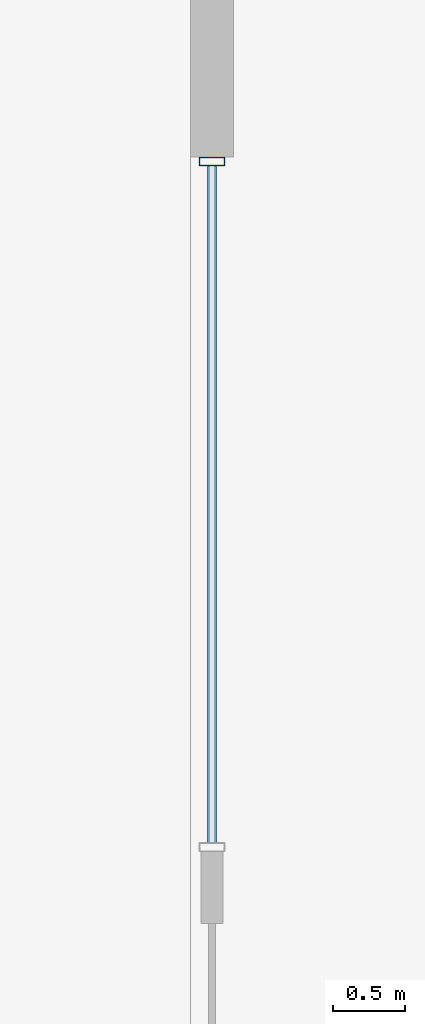
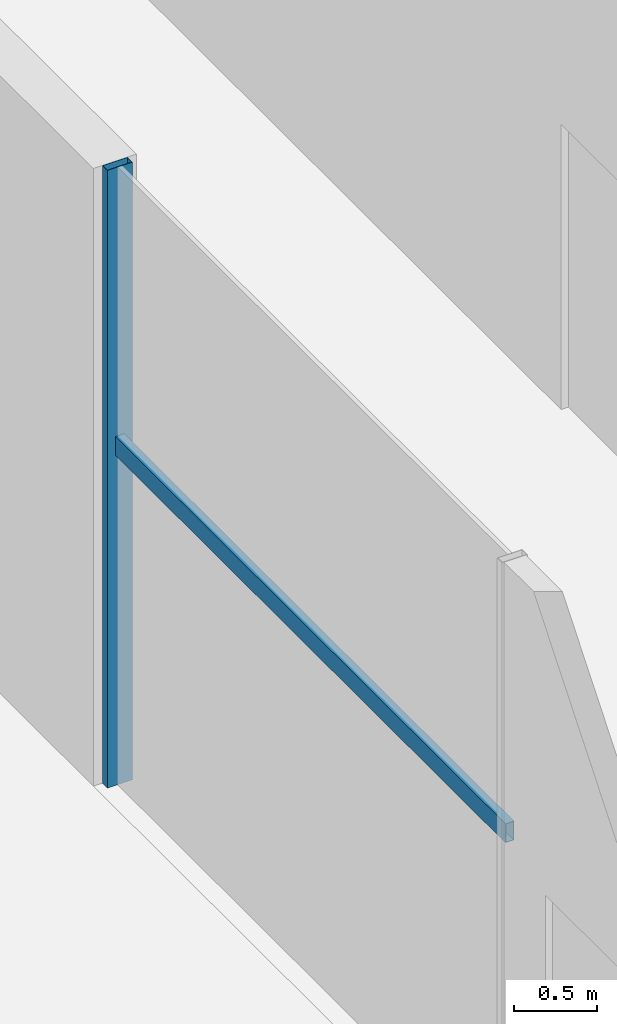
# One storey, part 9 of 49: 2 members, 1 element without a shape of its own.
"""IFC4 building model written with IfcOpenShell, lengths in metres."""

from ifc_helpers import new_model, si_unit, direction, frame, origin, origin_2d, place, context, subcontext, project, spatial, hollow_rectangle, extrude, material, material_profile, profile_set, type_object, element, aggregate, save


model = new_model("IFC4")

# Units and contexts
model_context = context("Model", 3, precision=1e-05, world=origin(), true_north=direction((0.0, 1.0)))
body_context = subcontext(model_context, "Body", "Model", "MODEL_VIEW")
ifc_project = project(units=[si_unit("LENGTHUNIT", "METRE"), si_unit("AREAUNIT", "SQUARE_METRE"), si_unit("VOLUMEUNIT", "CUBIC_METRE"), si_unit("PLANEANGLEUNIT", "RADIAN"), si_unit("MASSUNIT", "GRAM", prefix="KILO")], contexts=[model_context])

# Site, building, storey
site_placement = place(None, origin())
site = spatial("IfcSite", under=ifc_project, at=site_placement, CompositionType="ELEMENT")
building_placement = place(site_placement, origin())
building = spatial("IfcBuilding", under=site, at=building_placement, Name="Altepetl Exchange Towers", CompositionType="ELEMENT")
storey_placement = place(building_placement, frame((0.0, 0.0, 11.5)))
storey = spatial("IfcBuildingStorey", under=building, at=storey_placement, Name="L02 Exchange podium", CompositionType="ELEMENT", Elevation=11.5)

# Curtain wall, members
ifc_material_1 = material(Name="Aluminium 6063-T6 glazing", Category="aluminium")
curtain_wall_type = type_object("IfcCurtainWallType", Name="Podium storefront system", PredefinedType="NOTDEFINED", material=ifc_material_1)
curtain_wall_placement = place(storey_placement, origin())
curtain_wall = element("IfcCurtainWall", 1, at=curtain_wall_placement, inside=storey, type_object=curtain_wall_type, Name="CW5 run", PredefinedType="NOTDEFINED")
ifc_material_2 = material(Name="Aluminium 6063-T6", Category="aluminium")
ifc_material_profile_1 = material_profile(ifc_material_2, hollow_rectangle(XDim=0.06005859375, YDim=0.175048828125, WallThickness=0.0029296875, at=origin_2d()), Name="Mullion 60x175 aluminium")
ifc_profile_set_1 = profile_set([ifc_material_profile_1], Name="Aluminium 6063-T6")
member_type_1 = type_object("IfcMemberType", Name="Mullion 60x175 aluminium", PredefinedType="MULLION", material=ifc_profile_set_1)
member_1_placement = place(storey_placement, frame((18.14990234375, 68.195068359375, 0.0), z_axis=(0.0, 0.0, 1.0), x_axis=(0.0, -1.0, 0.0)))
member_1 = element("IfcMember", 2, at=member_1_placement, type_object=member_type_1, Name="MU4 mullion", PredefinedType="MULLION", context=body_context, shape_type="SweptSolid", body=[
    extrude(hollow_rectangle(XDim=0.06005859375, YDim=0.175048828125, WallThickness=0.0029296875, at=origin_2d()), origin(), (0.0, 0.0, 1.0), 4.550048828125),
])
ifc_material_profile_2 = material_profile(ifc_material_2, hollow_rectangle(XDim=0.06005859375, YDim=0.139892578125, WallThickness=0.0029296875, at=origin_2d()), Name="Transom 60x140 aluminium")
ifc_profile_set_2 = profile_set([ifc_material_profile_2], Name="Aluminium 6063-T6")
member_type_2 = type_object("IfcMemberType", Name="Transom 60x140 aluminium", PredefinedType="USERDEFINED", material=ifc_profile_set_2)
member_2_placement = place(storey_placement, frame((18.14990234375, 68.1650390625, 2.5), z_axis=(0.0, -1.0, 0.0), x_axis=(1.0, 0.0, 0.0)))
member_2 = element("IfcMember", 3, at=member_2_placement, type_object=member_type_2, Name="TR3 transom", ObjectType="TRANSOM", PredefinedType="USERDEFINED", context=body_context, shape_type="SweptSolid", body=[
    extrude(hollow_rectangle(XDim=0.06005859375, YDim=0.139892578125, WallThickness=0.0029296875, at=origin_2d()), origin(), (0.0, 0.0, 1.0), 4.705078125),
])
aggregate(curtain_wall, [member_1, member_2])

save(model, "model.ifc")
